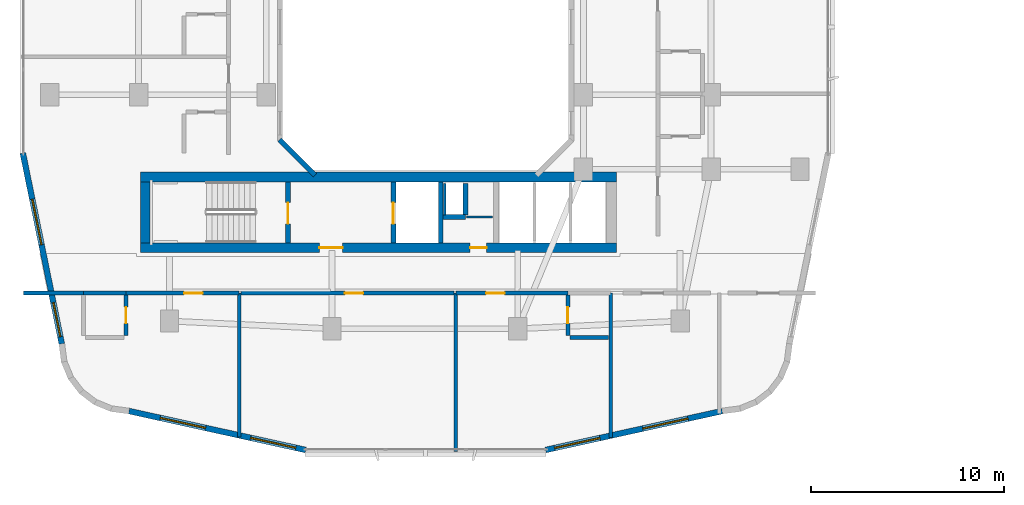
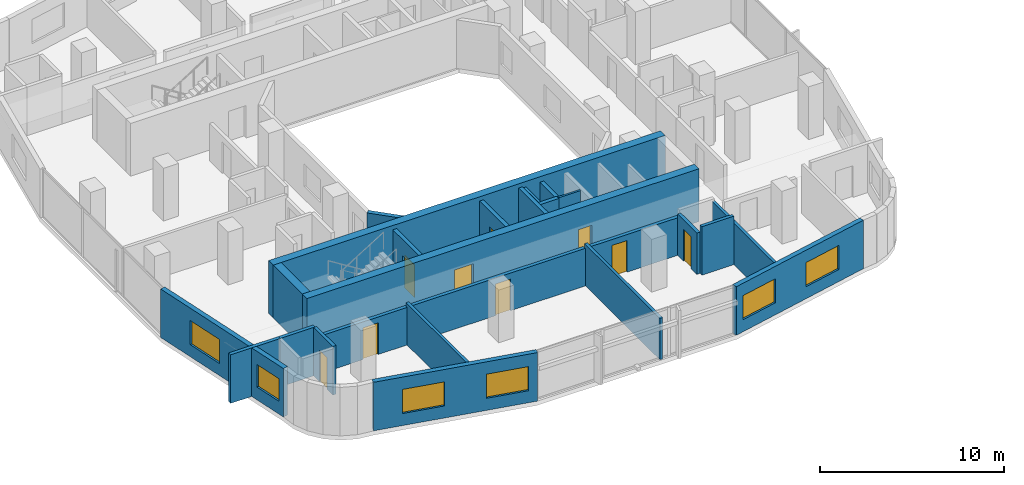
# One storey, part 13 of 27: 25 walls, 9 doors, 6 windows, 15 openings.
"""IFC4 building model written with IfcOpenShell, lengths in metres."""

from ifc_helpers import new_model, si_unit, derived_unit, direction, frame, frame_2d, origin, place, context, subcontext, project, spatial, rectangle, extrude, material, layer, layer_set, type_object, element, fill, save


model = new_model("IFC4")

# Units and contexts
model_context = context("Model", 3, precision=1e-05, world=origin(), true_north=direction((0.0, 1.0)))
body_context = subcontext(model_context, "Body", "Model", "MODEL_VIEW")
ifc_project = project(units=[si_unit("LENGTHUNIT", "METRE"), si_unit("AREAUNIT", "SQUARE_METRE"), si_unit("VOLUMEUNIT", "CUBIC_METRE"), si_unit("PLANEANGLEUNIT", "RADIAN"), si_unit("MASSUNIT", "GRAM", prefix="KILO"), derived_unit("THERMALTRANSMITTANCEUNIT", [(si_unit("POWERUNIT", "WATT"), 1), (si_unit("LENGTHUNIT", "METRE"), -2), (si_unit("THERMODYNAMICTEMPERATUREUNIT", "KELVIN"), -1)])], contexts=[model_context])

# Site, building, storey
site_placement = place(None, origin())
site = spatial("IfcSite", under=ifc_project, at=site_placement, CompositionType="ELEMENT")
building_placement = place(site_placement, origin())
building = spatial("IfcBuilding", under=site, at=building_placement, Name="Kivonza Crest Hotel", CompositionType="ELEMENT")
storey_placement = place(building_placement, frame((0.0, 0.0, 73.0)))
storey = spatial("IfcBuildingStorey", under=building, at=storey_placement, Name="L19", CompositionType="ELEMENT", Elevation=73.0)

# Walls
ifc_material_1 = material(Name="High-density acoustic masonry inter-tenancy wall", Category="masonry")
ifc_layer_1 = layer(ifc_material_1, 0.179931640625)
ifc_layer_set_1 = layer_set([ifc_layer_1], Name="High-density acoustic masonry inter-tenancy wall")
wall_type_1 = type_object("IfcWallType", Name="WL-ACOU-180", PredefinedType="SOLIDWALL", material=ifc_layer_set_1)
wall_1_placement = place(storey_placement, frame((11.39990234375, 3.800048828125, 0.0), z_axis=(0.0, 0.0, 1.0), x_axis=(0.0, 1.0, 0.0)))
element("IfcWall", 1, at=wall_1_placement, inside=storey, type_object=wall_type_1, Name="L19 interior partition WA-L19-T1S-DIV1", PredefinedType="SOLIDWALL", context=body_context, shape_type="SweptSolid", body=[
    extrude(rectangle(XDim=7.449951171875, YDim=0.179931640625, at=frame_2d((3.72509765625, 0.0))), origin(), (0.0, 0.0, 1.0), 2.7451171875),
])
wall_2_placement = place(storey_placement, frame((22.60009765625, 3.06005859375, 0.0), z_axis=(0.0, 0.0, 1.0), x_axis=(0.0, 1.0, 0.0)))
element("IfcWall", 2, at=wall_2_placement, inside=storey, type_object=wall_type_1, Name="L19 interior partition WA-L19-T1S-DIV2", PredefinedType="SOLIDWALL", context=body_context, shape_type="SweptSolid", body=[
    extrude(rectangle(XDim=8.18994140625, YDim=0.179931640625, at=frame_2d((4.094970703125, 0.0))), origin(), (0.0, 0.0, 1.0), 2.7451171875),
])
wall_3_placement = place(storey_placement, frame((30.60009765625, 3.782958984375, 0.0), z_axis=(0.0, 0.0, 1.0), x_axis=(0.0, 1.0, 0.0)))
element("IfcWall", 3, at=wall_3_placement, inside=storey, type_object=wall_type_1, Name="L19 interior partition WA-L19-T1S-DIV3", PredefinedType="SOLIDWALL", context=body_context, shape_type="SweptSolid", body=[
    extrude(rectangle(XDim=7.467041015625, YDim=0.179931640625, at=frame_2d((3.7333984375, 0.0))), origin(), (0.0, 0.0, 1.0), 2.7451171875),
])
ifc_material_2 = material(Name="Autoclaved aerated concrete blockwork", Category="masonry")
ifc_layer_2 = layer(ifc_material_2, 0.219970703125)
ifc_layer_set_2 = layer_set([ifc_layer_2], Name="Autoclaved aerated concrete blockwork")
wall_type_2 = type_object("IfcWallType", Name="WL-ACOU-220", PredefinedType="SOLIDWALL", material=ifc_layer_set_2)
wall_4_placement = place(storey_placement, frame((0.239990234375, 11.25, 0.0), z_axis=(0.0, 0.0, 1.0), x_axis=(1.0, 0.0, 0.0)))
element("IfcWall", 4, at=wall_4_placement, inside=storey, type_object=wall_type_2, Name="L19 interior partition WA-L19-S02-XCORR", PredefinedType="SOLIDWALL", context=body_context, shape_type="SweptSolid", body=[
    extrude(rectangle(XDim=3.110107421875, YDim=0.219970703125, at=frame_2d((1.55517578125, 0.0))), origin(), (0.0, 0.0, 1.0), 3.219970703125),
])
wall_5_placement = place(storey_placement, frame((3.35009765625, 11.25, 0.0), z_axis=(0.0, 0.0, 1.0), x_axis=(1.0, 0.0, 0.0)))
element("IfcWall", 5, at=wall_5_placement, inside=storey, type_object=wall_type_2, Name="L19 interior partition WA-L19-S02-BCORR", PredefinedType="SOLIDWALL", context=body_context, shape_type="SweptSolid", body=[
    extrude(rectangle(XDim=2.199951171875, YDim=0.219970703125, at=frame_2d((1.10009765625, 0.0))), origin(), (0.0, 0.0, 1.0), 3.219970703125),
])

# Wall, opening, door
wall_6_placement = place(storey_placement, frame((5.550048828125, 11.25, 0.0), z_axis=(0.0, 0.0, 1.0), x_axis=(1.0, 0.0, 0.0)))
wall_6 = element("IfcWall", 6, at=wall_6_placement, inside=storey, type_object=wall_type_2, Name="L19 interior partition WA-L19-S02-MCORR", PredefinedType="SOLIDWALL", context=body_context, shape_type="SweptSolid", body=[
    extrude(rectangle(XDim=5.849853515625, YDim=0.219970703125, at=frame_2d((2.9248046875, 0.0))), origin(), (0.0, 0.0, 1.0), 2.4951171875),
])
opening_1_placement = place(wall_6_placement, frame((3.010009765625, 0.0, 0.0)))
opening_1 = element("IfcOpeningElement", 7, at=opening_1_placement, cuts=wall_6, Name="Opening DU-60", PredefinedType="OPENING", context=body_context, shape_type="SweptSolid", body=[
    extrude(rectangle(XDim=0.949951171875, YDim=2.10009765625, at=frame_2d((0.47509765625, 1.050048828125))), frame((0.0, 0.1201171875, 0.0), z_axis=(0.0, -1.0, 0.0), x_axis=(1.0, 0.0, 0.0)), (0.0, 0.0, 1.0), 0.239990234375),
])
ifc_material_3 = material(Name="Hardwood timber oak", Category="wood")
door_type_1 = type_object("IfcDoorType", Name="DR-UNIT-950", OperationType="NOTDEFINED", PredefinedType="DOOR", material=ifc_material_3)
door_1_placement = place(opening_1_placement, frame((0.949951171875, 0.0, 0.0), z_axis=(0.0, 0.0, 1.0), x_axis=(-1.0, 0.0, 0.0)))
door_1 = element("IfcDoor", 8, at=door_1_placement, inside=storey, type_object=door_type_1, Name="L19 S02 guest unit entrance fire door", OperationType="SINGLE_SWING_RIGHT", OverallHeight=2.10009765625, OverallWidth=0.949951171875, PredefinedType="DOOR", context=body_context, shape_type="SweptSolid", body=[
    extrude(rectangle(XDim=0.949951171875, YDim=2.10009765625, at=frame_2d((0.47509765625, 1.050048828125))), frame((0.0, 0.02490234375, 0.0), z_axis=(0.0, -1.0, 0.0), x_axis=(1.0, 0.0, 0.0)), (0.0, 0.0, 1.0), 0.050048828125),
])
fill(opening_1, door_1)

wall_7_placement = place(storey_placement, frame((11.5, 11.25, 0.0), z_axis=(0.0, 0.0, 1.0), x_axis=(1.0, 0.0, 0.0)))
wall_7 = element("IfcWall", 9, at=wall_7_placement, inside=storey, type_object=wall_type_2, Name="L19 interior partition WA-L19-HK-S-N", PredefinedType="SOLIDWALL", context=body_context, shape_type="SweptSolid", body=[
    extrude(rectangle(XDim=11.0, YDim=0.219970703125, at=frame_2d((5.5, 0.0))), origin(), (0.0, 0.0, 1.0), 2.4951171875),
])
opening_2_placement = place(wall_7_placement, frame((5.363037109375, 0.0, 0.0)))
opening_2 = element("IfcOpeningElement", 10, at=opening_2_placement, cuts=wall_7, Name="Opening DF-60S", PredefinedType="OPENING", context=body_context, shape_type="SweptSolid", body=[
    extrude(rectangle(XDim=0.949951171875, YDim=2.10009765625, at=frame_2d((0.47509765625, 1.050048828125))), frame((0.0, 0.1201171875, 0.0), z_axis=(0.0, -1.0, 0.0), x_axis=(1.0, 0.0, 0.0)), (0.0, 0.0, 1.0), 0.239990234375),
])
door_type_2 = type_object("IfcDoorType", Name="DR-FD60-950", OperationType="NOTDEFINED", PredefinedType="DOOR", material=ifc_material_3)
door_2_placement = place(opening_2_placement, frame((0.949951171875, 0.0, 0.0), z_axis=(0.0, 0.0, 1.0), x_axis=(-1.0, 0.0, 0.0)))
door_2 = element("IfcDoor", 11, at=door_2_placement, inside=storey, type_object=door_type_2, Name="L19 Housekeeping and Linen Room door", OperationType="SINGLE_SWING_LEFT", OverallHeight=2.10009765625, OverallWidth=0.949951171875, PredefinedType="DOOR", context=body_context, shape_type="SweptSolid", body=[
    extrude(rectangle(XDim=0.949951171875, YDim=2.10009765625, at=frame_2d((0.47509765625, 1.050048828125))), frame((0.0, 0.02490234375, 0.0), z_axis=(0.0, -1.0, 0.0), x_axis=(1.0, 0.0, 0.0)), (0.0, 0.0, 1.0), 0.050048828125),
])
fill(opening_2, door_2)

wall_8_placement = place(storey_placement, frame((22.60009765625, 11.25, 0.0), z_axis=(0.0, 0.0, 1.0), x_axis=(1.0, 0.0, 0.0)))
wall_8 = element("IfcWall", 12, at=wall_8_placement, inside=storey, type_object=wall_type_2, Name="L19 interior partition WA-L19-S03-MCORR", PredefinedType="SOLIDWALL", context=body_context, shape_type="SweptSolid", body=[
    extrude(rectangle(XDim=5.7998046875, YDim=0.219970703125, at=frame_2d((2.89990234375, 0.0))), origin(), (0.0, 0.0, 1.0), 2.4951171875),
])
opening_3_placement = place(wall_8_placement, frame((1.574951171875, 0.0, 0.0)))
opening_3 = element("IfcOpeningElement", 13, at=opening_3_placement, cuts=wall_8, Name="Opening DU-60", PredefinedType="OPENING", context=body_context, shape_type="SweptSolid", body=[
    extrude(rectangle(XDim=0.949951171875, YDim=2.10009765625, at=frame_2d((0.47509765625, 1.050048828125))), frame((0.0, 0.1201171875, 0.0), z_axis=(0.0, -1.0, 0.0), x_axis=(1.0, 0.0, 0.0)), (0.0, 0.0, 1.0), 0.239990234375),
])
door_3_placement = place(opening_3_placement, frame((0.949951171875, 0.0, 0.0), z_axis=(0.0, 0.0, 1.0), x_axis=(-1.0, 0.0, 0.0)))
door_3 = element("IfcDoor", 14, at=door_3_placement, inside=storey, type_object=door_type_1, Name="L19 S03 guest unit entrance fire door", OperationType="SINGLE_SWING_LEFT", OverallHeight=2.10009765625, OverallWidth=0.949951171875, PredefinedType="DOOR", context=body_context, shape_type="SweptSolid", body=[
    extrude(rectangle(XDim=0.949951171875, YDim=2.10009765625, at=frame_2d((0.47509765625, 1.050048828125))), frame((0.0, 0.02490234375, 0.0), z_axis=(0.0, -1.0, 0.0), x_axis=(1.0, 0.0, 0.0)), (0.0, 0.0, 1.0), 0.050048828125),
])
fill(opening_3, door_3)

# Wall, openings, doors
ifc_material_4 = material(Name="Concrete C60/75", Category="concrete")
ifc_layer_3 = layer(ifc_material_4, 0.5)
ifc_layer_set_3 = layer_set([ifc_layer_3], Name="Concrete C60/75")
wall_type_3 = type_object("IfcWallType", Name="WL-CORE-500", PredefinedType="SHEAR", material=ifc_layer_set_3)
wall_9_placement = place(storey_placement, frame((6.300048828125, 13.590087890625, 0.0), z_axis=(0.0, 0.0, 1.0), x_axis=(1.0, 0.0, 0.0)))
wall_9 = element("IfcWall", 15, at=wall_9_placement, inside=storey, type_object=wall_type_3, Name="Core wall T1-S South L19", PredefinedType="SHEAR", context=body_context, shape_type="SweptSolid", body=[
    extrude(rectangle(XDim=24.599853515625, YDim=0.5, at=frame_2d((12.2998046875, 0.0))), origin(), (0.0, 0.0, 1.0), 3.5),
])
opening_4_placement = place(wall_9_placement, frame((9.25, 0.0, 0.0)))
opening_4 = element("IfcOpeningElement", 16, at=opening_4_placement, cuts=wall_9, Name="Opening DF-60", PredefinedType="OPENING", context=body_context, shape_type="SweptSolid", body=[
    extrude(rectangle(XDim=1.199951171875, YDim=2.14990234375, at=frame_2d((0.60009765625, 1.074951171875))), frame((0.0, 0.260009765625, 0.0), z_axis=(0.0, -1.0, 0.0), x_axis=(1.0, 0.0, 0.0)), (0.0, 0.0, 1.0), 0.52001953125),
])
opening_5_placement = place(wall_9_placement, frame((17.0400390625, 0.0, 0.0)))
opening_5 = element("IfcOpeningElement", 17, at=opening_5_placement, cuts=wall_9, Name="Opening DF-60R", PredefinedType="OPENING", context=body_context, shape_type="SweptSolid", body=[
    extrude(rectangle(XDim=0.85009765625, YDim=2.10009765625, at=frame_2d((0.425048828125, 1.050048828125))), frame((0.0, 0.260009765625, 0.0), z_axis=(0.0, -1.0, 0.0), x_axis=(1.0, 0.0, 0.0)), (0.0, 0.0, 1.0), 0.52001953125),
])
door_type_3 = type_object("IfcDoorType", Name="DR-FD60-1200", OperationType="NOTDEFINED", PredefinedType="DOOR", material=ifc_material_3)
door_4_placement = place(opening_4_placement, frame((1.199951171875, 0.0, 0.0), z_axis=(0.0, 0.0, 1.0), x_axis=(-1.0, 0.0, 0.0)))
door_4 = element("IfcDoor", 18, at=door_4_placement, inside=storey, type_object=door_type_3, Name="L19 T1-S firefighting lobby fire door", OperationType="SINGLE_SWING_LEFT", OverallHeight=2.14990234375, OverallWidth=1.199951171875, PredefinedType="DOOR", context=body_context, shape_type="SweptSolid", body=[
    extrude(rectangle(XDim=1.199951171875, YDim=2.14990234375, at=frame_2d((0.60009765625, 1.074951171875))), frame((0.0, 0.02490234375, 0.0), z_axis=(0.0, -1.0, 0.0), x_axis=(1.0, 0.0, 0.0)), (0.0, 0.0, 1.0), 0.050048828125),
])
fill(opening_4, door_4)
door_type_4 = type_object("IfcDoorType", Name="DR-FD60-850", OperationType="NOTDEFINED", PredefinedType="DOOR", material=ifc_material_3)
door_5_placement = place(opening_5_placement, frame((0.85009765625, 0.0, 0.0), z_axis=(0.0, 0.0, 1.0), x_axis=(-1.0, 0.0, 0.0)))
door_5 = element("IfcDoor", 19, at=door_5_placement, inside=storey, type_object=door_type_4, Name="L19 T1-S core room door", OperationType="SINGLE_SWING_RIGHT", OverallHeight=2.10009765625, OverallWidth=0.85009765625, PredefinedType="DOOR", context=body_context, shape_type="SweptSolid", body=[
    extrude(rectangle(XDim=0.85009765625, YDim=2.10009765625, at=frame_2d((0.425048828125, 1.050048828125))), frame((0.0, 0.02490234375, 0.0), z_axis=(0.0, -1.0, 0.0), x_axis=(1.0, 0.0, 0.0)), (0.0, 0.0, 1.0), 0.050048828125),
])
fill(opening_5, door_5)

# Walls
wall_10_placement = place(storey_placement, frame((6.300048828125, 17.25, 0.0), z_axis=(0.0, 0.0, 1.0), x_axis=(1.0, 0.0, 0.0)))
element("IfcWall", 20, at=wall_10_placement, inside=storey, type_object=wall_type_3, Name="Core wall T1-S North L19", PredefinedType="SHEAR", context=body_context, shape_type="SweptSolid", body=[
    extrude(rectangle(XDim=24.599853515625, YDim=0.5, at=frame_2d((12.2998046875, 0.0))), origin(), (0.0, 0.0, 1.0), 3.5),
])
wall_11_placement = place(storey_placement, frame((6.550048828125, 13.840087890625, 0.0), z_axis=(0.0, 0.0, 1.0), x_axis=(0.0, 1.0, 0.0)))
element("IfcWall", 21, at=wall_11_placement, inside=storey, type_object=wall_type_3, Name="Core wall T1-S West L19", PredefinedType="SHEAR", context=body_context, shape_type="SweptSolid", body=[
    extrude(rectangle(XDim=3.159912109375, YDim=0.5, at=frame_2d((1.580078125, 0.0))), origin(), (0.0, 0.0, 1.0), 3.5),
])
ifc_material_5 = material(Name="Precast concrete C40/50", Category="concrete")
ifc_layer_4 = layer(ifc_material_5, 0.260009765625)
ifc_layer_set_4 = layer_set([ifc_layer_4], Name="Precast concrete C40/50")
wall_type_4 = type_object("IfcWallType", Name="WL-EXT-260", PredefinedType="STANDARD", material=ifc_layer_set_4)
wall_12_placement = place(storey_placement, frame((13.48388671875, 19.172119140625, 0.0), z_axis=(0.0, 0.0, 1.0), x_axis=(0.707106781187, -0.707106781187, 0.0)))
element("IfcWall", 22, at=wall_12_placement, inside=storey, type_object=wall_type_4, Name="L19 T1 light-well exterior wall 8", PredefinedType="STANDARD", context=body_context, shape_type="SweptSolid", body=[
    extrude(rectangle(XDim=2.593994140625, YDim=0.260009765625, at=frame_2d((1.296875, 0.0))), origin(), (0.0, 0.0, 1.0), 3.219970703125),
])

# Wall, openings, windows
ifc_layer_5 = layer(ifc_material_5, 0.300048828125)
ifc_layer_set_5 = layer_set([ifc_layer_5], Name="Precast concrete C40/50")
wall_type_5 = type_object("IfcWallType", Name="WL-EXT-300", PredefinedType="STANDARD", material=ifc_layer_set_5)
wall_13_placement = place(storey_placement, frame((5.7041015625, 5.14794921875, 0.0), z_axis=(0.0, 0.0, 1.0), x_axis=(0.9765437942, -0.215318875183, 0.0)))
wall_13 = element("IfcWall", 23, at=wall_13_placement, inside=storey, type_object=wall_type_5, Name="L19 T1 exterior insulated wall 7", PredefinedType="STANDARD", context=body_context, shape_type="SweptSolid", body=[
    extrude(rectangle(XDim=9.353271484375, YDim=0.300048828125, at=frame_2d((4.6767578125, 0.0))), origin(), (0.0, 0.0, 1.0), 3.219970703125),
])
opening_6_placement = place(wall_13_placement, frame((1.65087890625, 0.0, 0.800048828125)))
opening_6 = element("IfcOpeningElement", 24, at=opening_6_placement, cuts=wall_13, Name="Opening WN-05", PredefinedType="OPENING", context=body_context, shape_type="SweptSolid", body=[
    extrude(rectangle(XDim=2.39990234375, YDim=1.60009765625, at=frame_2d((1.199951171875, 0.800048828125))), frame((0.0, 0.16015625, 0.0), z_axis=(0.0, -1.0, 0.0), x_axis=(1.0, 0.0, 0.0)), (0.0, 0.0, 1.0), 0.320068359375),
])
opening_7_placement = place(wall_13_placement, frame((6.43310546875, 0.0, 0.800048828125)))
opening_7 = element("IfcOpeningElement", 25, at=opening_7_placement, cuts=wall_13, Name="Opening WN-05", PredefinedType="OPENING", context=body_context, shape_type="SweptSolid", body=[
    extrude(rectangle(XDim=2.39990234375, YDim=1.60009765625, at=frame_2d((1.199951171875, 0.800048828125))), frame((0.0, 0.16015625, 0.0), z_axis=(0.0, -1.0, 0.0), x_axis=(1.0, 0.0, 0.0)), (0.0, 0.0, 1.0), 0.320068359375),
])
ifc_material_6 = material(Name="Thermally broken bronze aluminium and low-E double glazing", Category="aluminium")
window_type_1 = type_object("IfcWindowType", Name="WN-240x160", PartitioningType="TRIPLE_PANEL_VERTICAL", PredefinedType="WINDOW", material=ifc_material_6)
window_1_placement = place(opening_6_placement, origin())
window_1 = element("IfcWindow", 26, at=window_1_placement, inside=storey, type_object=window_type_1, Name="L19 T1 facade window 7 bay 1", OverallHeight=1.60009765625, OverallWidth=2.39990234375, PartitioningType="SINGLE_PANEL", PredefinedType="WINDOW", context=body_context, shape_type="SweptSolid", body=[
    extrude(rectangle(XDim=2.39990234375, YDim=1.60009765625, at=frame_2d((1.199951171875, 0.800048828125))), frame((0.0, 0.030029296875, 0.0), z_axis=(0.0, -1.0, 0.0), x_axis=(1.0, 0.0, 0.0)), (0.0, 0.0, 1.0), 0.06005859375),
])
fill(opening_6, window_1)
window_2_placement = place(opening_7_placement, origin())
window_2 = element("IfcWindow", 27, at=window_2_placement, inside=storey, type_object=window_type_1, Name="L19 T1 facade window 7 bay 2", OverallHeight=1.60009765625, OverallWidth=2.39990234375, PartitioningType="SINGLE_PANEL", PredefinedType="WINDOW", context=body_context, shape_type="SweptSolid", body=[
    extrude(rectangle(XDim=2.39990234375, YDim=1.60009765625, at=frame_2d((1.199951171875, 0.800048828125))), frame((0.0, 0.030029296875, 0.0), z_axis=(0.0, -1.0, 0.0), x_axis=(1.0, 0.0, 0.0)), (0.0, 0.0, 1.0), 0.06005859375),
])
fill(opening_7, window_2)

wall_14_placement = place(storey_placement, frame((27.241943359375, 3.134033203125, 0.0), z_axis=(0.0, 0.0, 1.0), x_axis=(0.97654500432, 0.215313386808, 0.0)))
wall_14 = element("IfcWall", 28, at=wall_14_placement, inside=storey, type_object=wall_type_5, Name="L19 T1 exterior insulated wall 9", PredefinedType="STANDARD", context=body_context, shape_type="SweptSolid", body=[
    extrude(rectangle(XDim=9.353515625, YDim=0.300048828125, at=frame_2d((4.6767578125, 0.0))), origin(), (0.0, 0.0, 1.0), 3.219970703125),
])
opening_8_placement = place(wall_14_placement, frame((0.47900390625, 0.0, 0.800048828125)))
opening_8 = element("IfcOpeningElement", 29, at=opening_8_placement, cuts=wall_14, Name="Opening WN-05", PredefinedType="OPENING", context=body_context, shape_type="SweptSolid", body=[
    extrude(rectangle(XDim=2.39990234375, YDim=1.60009765625, at=frame_2d((1.199951171875, 0.800048828125))), frame((0.0, 0.16015625, 0.0), z_axis=(0.0, -1.0, 0.0), x_axis=(1.0, 0.0, 0.0)), (0.0, 0.0, 1.0), 0.320068359375),
])
opening_9_placement = place(wall_14_placement, frame((5.14208984375, 0.0, 0.800048828125)))
opening_9 = element("IfcOpeningElement", 30, at=opening_9_placement, cuts=wall_14, Name="Opening WN-05", PredefinedType="OPENING", context=body_context, shape_type="SweptSolid", body=[
    extrude(rectangle(XDim=2.39990234375, YDim=1.60009765625, at=frame_2d((1.199951171875, 0.800048828125))), frame((0.0, 0.16015625, 0.0), z_axis=(0.0, -1.0, 0.0), x_axis=(1.0, 0.0, 0.0)), (0.0, 0.0, 1.0), 0.320068359375),
])
window_3_placement = place(opening_8_placement, origin())
window_3 = element("IfcWindow", 31, at=window_3_placement, inside=storey, type_object=window_type_1, Name="L19 T1 facade window 9 bay 1", OverallHeight=1.60009765625, OverallWidth=2.39990234375, PartitioningType="SINGLE_PANEL", PredefinedType="WINDOW", context=body_context, shape_type="SweptSolid", body=[
    extrude(rectangle(XDim=2.39990234375, YDim=1.60009765625, at=frame_2d((1.199951171875, 0.800048828125))), frame((0.0, 0.030029296875, 0.0), z_axis=(0.0, -1.0, 0.0), x_axis=(1.0, 0.0, 0.0)), (0.0, 0.0, 1.0), 0.06005859375),
])
fill(opening_8, window_3)
window_4_placement = place(opening_9_placement, origin())
window_4 = element("IfcWindow", 32, at=window_4_placement, inside=storey, type_object=window_type_1, Name="L19 T1 facade window 9 bay 2", OverallHeight=1.60009765625, OverallWidth=2.39990234375, PartitioningType="SINGLE_PANEL", PredefinedType="WINDOW", context=body_context, shape_type="SweptSolid", body=[
    extrude(rectangle(XDim=2.39990234375, YDim=1.60009765625, at=frame_2d((1.199951171875, 0.800048828125))), frame((0.0, 0.030029296875, 0.0), z_axis=(0.0, -1.0, 0.0), x_axis=(1.0, 0.0, 0.0)), (0.0, 0.0, 1.0), 0.06005859375),
])
fill(opening_9, window_4)

wall_15_placement = place(storey_placement, frame((0.216064453125, 18.48388671875, 0.0), z_axis=(0.0, 0.0, 1.0), x_axis=(0.199990901713, -0.979797754249, 0.0)))
wall_15 = element("IfcWall", 33, at=wall_15_placement, inside=storey, type_object=wall_type_5, Name="L19 T1 exterior insulated wall 36", PredefinedType="STANDARD", context=body_context, shape_type="SweptSolid", body=[
    extrude(rectangle(XDim=10.065185546875, YDim=0.300048828125, at=frame_2d((5.03271484375, 0.0))), origin(), (0.0, 0.0, 1.0), 3.219970703125),
])
opening_10_placement = place(wall_15_placement, frame((2.428955078125, 0.0, 0.800048828125)))
opening_10 = element("IfcOpeningElement", 34, at=opening_10_placement, cuts=wall_15, Name="Opening WN-05", PredefinedType="OPENING", context=body_context, shape_type="SweptSolid", body=[
    extrude(rectangle(XDim=2.39990234375, YDim=1.60009765625, at=frame_2d((1.199951171875, 0.800048828125))), frame((0.0, 0.16015625, 0.0), z_axis=(0.0, -1.0, 0.0), x_axis=(1.0, 0.0, 0.0)), (0.0, 0.0, 1.0), 0.320068359375),
])
opening_11_placement = place(wall_15_placement, frame((7.886962890625, 0.0, 0.85009765625)))
opening_11 = element("IfcOpeningElement", 35, at=opening_11_placement, cuts=wall_15, Name="Opening WN-03", PredefinedType="OPENING", context=body_context, shape_type="SweptSolid", body=[
    extrude(rectangle(XDim=1.800048828125, YDim=1.5, at=frame_2d((0.89990234375, 0.75))), frame((0.0, 0.16015625, 0.0), z_axis=(0.0, -1.0, 0.0), x_axis=(1.0, 0.0, 0.0)), (0.0, 0.0, 1.0), 0.320068359375),
])
window_type_2 = type_object("IfcWindowType", Name="WN-180x150", PartitioningType="DOUBLE_PANEL_VERTICAL", PredefinedType="WINDOW", material=ifc_material_6)
window_5_placement = place(opening_11_placement, origin())
window_5 = element("IfcWindow", 36, at=window_5_placement, inside=storey, type_object=window_type_2, Name="L19 T1 facade window 36 bay 2", OverallHeight=1.5, OverallWidth=1.800048828125, PartitioningType="SINGLE_PANEL", PredefinedType="WINDOW", context=body_context, shape_type="SweptSolid", body=[
    extrude(rectangle(XDim=1.800048828125, YDim=1.5, at=frame_2d((0.89990234375, 0.75))), frame((0.0, 0.030029296875, 0.0), z_axis=(0.0, -1.0, 0.0), x_axis=(1.0, 0.0, 0.0)), (0.0, 0.0, 1.0), 0.06005859375),
])
fill(opening_11, window_5)
window_6_placement = place(opening_10_placement, origin())
window_6 = element("IfcWindow", 37, at=window_6_placement, inside=storey, type_object=window_type_1, Name="L19 T1 facade window 36 bay 1", OverallHeight=1.60009765625, OverallWidth=2.39990234375, PartitioningType="SINGLE_PANEL", PredefinedType="WINDOW", context=body_context, shape_type="SweptSolid", body=[
    extrude(rectangle(XDim=2.39990234375, YDim=1.60009765625, at=frame_2d((1.199951171875, 0.800048828125))), frame((0.0, 0.030029296875, 0.0), z_axis=(0.0, -1.0, 0.0), x_axis=(1.0, 0.0, 0.0)), (0.0, 0.0, 1.0), 0.06005859375),
])
fill(opening_10, window_6)

# Walls
ifc_material_7 = material(Name="Concrete blockwork fire-compartment wall", Category="masonry")
ifc_layer_6 = layer(ifc_material_7, 0.25)
ifc_layer_set_6 = layer_set([ifc_layer_6], Name="Concrete blockwork fire-compartment wall")
wall_type_6 = type_object("IfcWallType", Name="WL-FIRE-250", PredefinedType="SOLIDWALL", material=ifc_layer_set_6)
wall_16_placement = place(storey_placement, frame((23.10009765625, 15.280029296875, 0.0), z_axis=(0.0, 0.0, 1.0), x_axis=(0.0, 1.0, 0.0)))
element("IfcWall", 38, at=wall_16_placement, inside=storey, type_object=wall_type_6, Name="L19 interior partition WA-L19-T1-S-MEPR-E", PredefinedType="SOLIDWALL", context=body_context, shape_type="SweptSolid", body=[
    extrude(rectangle(XDim=1.619873046875, YDim=0.25, at=frame_2d((0.81005859375, 0.0))), origin(), (0.0, 0.0, 1.0), 3.219970703125),
])
wall_17_placement = place(storey_placement, frame((21.949951171875, 15.179931640625, 0.0), z_axis=(0.0, 0.0, 1.0), x_axis=(1.0, 0.0, 0.0)))
element("IfcWall", 39, at=wall_17_placement, inside=storey, type_object=wall_type_6, Name="L19 interior partition WA-L19-T1-S-MEPR-H", PredefinedType="SOLIDWALL", context=body_context, shape_type="SweptSolid", body=[
    extrude(rectangle(XDim=1.150146484375, YDim=0.25, at=frame_2d((0.5751953125, 0.0))), origin(), (0.0, 0.0, 1.0), 3.219970703125),
])
ifc_material_8 = material(Name="Metal-stud gypsum board partition", Category="gypsum")
ifc_layer_7 = layer(ifc_material_8, 0.125)
ifc_layer_set_7 = layer_set([ifc_layer_7], Name="Metal-stud gypsum board partition")
wall_type_7 = type_object("IfcWallType", Name="WL-PART-125", PredefinedType="PARTITIONING", material=ifc_layer_set_7)
wall_18_placement = place(storey_placement, frame((23.14990234375, 15.179931640625, 0.0), z_axis=(0.0, 0.0, 1.0), x_axis=(1.0, 0.0, 0.0)))
element("IfcWall", 40, at=wall_18_placement, inside=storey, type_object=wall_type_7, Name="L19 interior partition WP-L19-T1-S-SV2H", PredefinedType="PARTITIONING", context=body_context, shape_type="SweptSolid", body=[
    extrude(rectangle(XDim=1.35009765625, YDim=0.125, at=frame_2d((0.675048828125, 0.0))), origin(), (0.0, 0.0, 1.0), 3.219970703125),
])
ifc_material_9 = material(Name="Twin-stud acoustic gypsum board partition", Category="gypsum")
ifc_layer_8 = layer(ifc_material_9, 0.14990234375)
ifc_layer_set_8 = layer_set([ifc_layer_8], Name="Twin-stud acoustic gypsum board partition")
wall_type_8 = type_object("IfcWallType", Name="WL-PART-150", PredefinedType="PARTITIONING", material=ifc_layer_set_8)
wall_19_placement = place(storey_placement, frame((22.030029296875, 15.280029296875, 0.0), z_axis=(0.0, 0.0, 1.0), x_axis=(0.0, 1.0, 0.0)))
element("IfcWall", 41, at=wall_19_placement, inside=storey, type_object=wall_type_8, Name="L19 interior partition WA-L19-T1-S-MEPR-W", PredefinedType="PARTITIONING", context=body_context, shape_type="SweptSolid", body=[
    extrude(rectangle(XDim=1.619873046875, YDim=0.14990234375, at=frame_2d((0.81005859375, 0.0))), origin(), (0.0, 0.0, 1.0), 3.219970703125),
])

# Wall, opening, door
ifc_material_10 = material(Name="Moisture-resistant plumbing chase partition wall", Category="gypsum")
ifc_layer_9 = layer(ifc_material_10, 0.199951171875)
ifc_layer_set_9 = layer_set([ifc_layer_9], Name="Moisture-resistant plumbing chase partition wall")
wall_type_9 = type_object("IfcWallType", Name="WL-PLUMB-200", PredefinedType="PLUMBINGWALL", material=ifc_layer_set_9)
wall_20_placement = place(storey_placement, frame((5.550048828125, 9.050048828125, 0.0), z_axis=(0.0, 0.0, 1.0), x_axis=(0.0, 1.0, 0.0)))
wall_20 = element("IfcWall", 42, at=wall_20_placement, inside=storey, type_object=wall_type_9, Name="L19 interior partition WW-L19-S02-BV", PredefinedType="PLUMBINGWALL", context=body_context, shape_type="SweptSolid", body=[
    extrude(rectangle(XDim=2.099853515625, YDim=0.199951171875, at=frame_2d((1.0498046875, 0.0))), origin(), (0.0, 0.0, 1.0), 3.219970703125),
])
opening_12_placement = place(wall_20_placement, frame((0.625, 0.0, 0.0)))
opening_12 = element("IfcOpeningElement", 43, at=opening_12_placement, cuts=wall_20, Name="Opening DI-85", PredefinedType="OPENING", context=body_context, shape_type="SweptSolid", body=[
    extrude(rectangle(XDim=0.85009765625, YDim=2.10009765625, at=frame_2d((0.425048828125, 1.050048828125))), frame((0.0, 0.10986328125, 0.0), z_axis=(0.0, -1.0, 0.0), x_axis=(1.0, 0.0, 0.0)), (0.0, 0.0, 1.0), 0.219970703125),
])
door_type_5 = type_object("IfcDoorType", Name="DR-INT-850", OperationType="NOTDEFINED", PredefinedType="DOOR", material=ifc_material_3)
door_6_placement = place(opening_12_placement, frame((0.85009765625, 0.0, 0.0), z_axis=(0.0, 0.0, 1.0), x_axis=(-1.0, 0.0, 0.0)))
door_6 = element("IfcDoor", 44, at=door_6_placement, inside=storey, type_object=door_type_5, Name="L19 S02 en-suite bathroom door", OperationType="SINGLE_SWING_LEFT", OverallHeight=2.10009765625, OverallWidth=0.85009765625, PredefinedType="DOOR", context=body_context, shape_type="SweptSolid", body=[
    extrude(rectangle(XDim=0.85009765625, YDim=2.10009765625, at=frame_2d((0.425048828125, 1.050048828125))), frame((0.0, 0.02490234375, 0.0), z_axis=(0.0, -1.0, 0.0), x_axis=(1.0, 0.0, 0.0)), (0.0, 0.0, 1.0), 0.050048828125),
])
fill(opening_12, door_6)

wall_21_placement = place(storey_placement, frame((28.39990234375, 9.050048828125, 0.0), z_axis=(0.0, 0.0, 1.0), x_axis=(0.0, 1.0, 0.0)))
wall_21 = element("IfcWall", 45, at=wall_21_placement, inside=storey, type_object=wall_type_9, Name="L19 interior partition WW-L19-S03-BV", PredefinedType="PLUMBINGWALL", context=body_context, shape_type="SweptSolid", body=[
    extrude(rectangle(XDim=2.099853515625, YDim=0.199951171875, at=frame_2d((1.0498046875, 0.0))), origin(), (0.0, 0.0, 1.0), 2.7451171875),
])
opening_13_placement = place(wall_21_placement, frame((0.625, 0.0, 0.0)))
opening_13 = element("IfcOpeningElement", 46, at=opening_13_placement, cuts=wall_21, Name="Opening DI-85", PredefinedType="OPENING", context=body_context, shape_type="SweptSolid", body=[
    extrude(rectangle(XDim=0.85009765625, YDim=2.10009765625, at=frame_2d((0.425048828125, 1.050048828125))), frame((0.0, 0.10986328125, 0.0), z_axis=(0.0, -1.0, 0.0), x_axis=(1.0, 0.0, 0.0)), (0.0, 0.0, 1.0), 0.219970703125),
])
door_7_placement = place(opening_13_placement, origin())
door_7 = element("IfcDoor", 47, at=door_7_placement, inside=storey, type_object=door_type_5, Name="L19 S03 en-suite bathroom door", OperationType="SINGLE_SWING_RIGHT", OverallHeight=2.10009765625, OverallWidth=0.85009765625, PredefinedType="DOOR", context=body_context, shape_type="SweptSolid", body=[
    extrude(rectangle(XDim=0.85009765625, YDim=2.10009765625, at=frame_2d((0.425048828125, 1.050048828125))), frame((0.0, 0.02490234375, 0.0), z_axis=(0.0, -1.0, 0.0), x_axis=(1.0, 0.0, 0.0)), (0.0, 0.0, 1.0), 0.050048828125),
])
fill(opening_13, door_7)

# Wall
wall_22_placement = place(storey_placement, frame((28.5, 8.949951171875, 0.0), z_axis=(0.0, 0.0, 1.0), x_axis=(1.0, 0.0, 0.0)))
element("IfcWall", 48, at=wall_22_placement, inside=storey, type_object=wall_type_9, Name="L19 interior partition WW-L19-S03-BH", PredefinedType="PLUMBINGWALL", context=body_context, shape_type="SweptSolid", body=[
    extrude(rectangle(XDim=2.0, YDim=0.199951171875, at=frame_2d((1.0, 0.0))), origin(), (0.0, 0.0, 1.0), 3.219970703125),
])

# Wall, opening, door
ifc_material_11 = material(Name="Concrete C50/60", Category="concrete")
ifc_layer_10 = layer(ifc_material_11, 0.25)
ifc_layer_set_10 = layer_set([ifc_layer_10], Name="Concrete C50/60")
wall_type_10 = type_object("IfcWallType", Name="WL-SHAFT-250", PredefinedType="STANDARD", material=ifc_layer_set_10)
wall_23_placement = place(storey_placement, frame((13.925048828125, 13.840087890625, 0.0), z_axis=(0.0, 0.0, 1.0), x_axis=(0.0, 1.0, 0.0)))
wall_23 = element("IfcWall", 49, at=wall_23_placement, inside=storey, type_object=wall_type_10, Name="Core shaft wall T1-S STAIR L19", PredefinedType="STANDARD", context=body_context, shape_type="SweptSolid", body=[
    extrude(rectangle(XDim=3.159912109375, YDim=0.25, at=frame_2d((1.580078125, 0.0))), origin(), (0.0, 0.0, 1.0), 3.219970703125),
])
opening_14_placement = place(wall_23_placement, frame((0.97998046875, 0.0, 0.0)))
opening_14 = element("IfcOpeningElement", 50, at=opening_14_placement, cuts=wall_23, Name="Opening DF-120", PredefinedType="OPENING", context=body_context, shape_type="SweptSolid", body=[
    extrude(rectangle(XDim=1.10009765625, YDim=2.14990234375, at=frame_2d((0.550048828125, 1.074951171875))), frame((0.0, 0.135009765625, 0.0), z_axis=(0.0, -1.0, 0.0), x_axis=(1.0, 0.0, 0.0)), (0.0, 0.0, 1.0), 0.27001953125),
])
ifc_material_12 = material(Name="Galvanised steel", Category="steel")
door_type_6 = type_object("IfcDoorType", Name="DR-FD120-1100", OperationType="NOTDEFINED", PredefinedType="DOOR", material=ifc_material_12)
door_8_placement = place(opening_14_placement, frame((1.10009765625, 0.0, 0.0), z_axis=(0.0, 0.0, 1.0), x_axis=(-1.0, 0.0, 0.0)))
door_8 = element("IfcDoor", 51, at=door_8_placement, inside=storey, type_object=door_type_6, Name="L19 T1-S stair fire door", OperationType="SINGLE_SWING_RIGHT", OverallHeight=2.14990234375, OverallWidth=1.10009765625, PredefinedType="DOOR", context=body_context, shape_type="SweptSolid", body=[
    extrude(rectangle(XDim=1.10009765625, YDim=2.14990234375, at=frame_2d((0.550048828125, 1.074951171875))), frame((0.0, 0.02490234375, 0.0), z_axis=(0.0, -1.0, 0.0), x_axis=(1.0, 0.0, 0.0)), (0.0, 0.0, 1.0), 0.050048828125),
])
fill(opening_14, door_8)

wall_24_placement = place(storey_placement, frame((19.375, 13.840087890625, 0.0), z_axis=(0.0, 0.0, 1.0), x_axis=(0.0, 1.0, 0.0)))
wall_24 = element("IfcWall", 52, at=wall_24_placement, inside=storey, type_object=wall_type_10, Name="Core shaft wall T1-S FFL-W L19", PredefinedType="STANDARD", context=body_context, shape_type="SweptSolid", body=[
    extrude(rectangle(XDim=3.159912109375, YDim=0.25, at=frame_2d((1.580078125, 0.0))), origin(), (0.0, 0.0, 1.0), 3.219970703125),
])
opening_15_placement = place(wall_24_placement, frame((0.97998046875, 0.0, 0.0)))
opening_15 = element("IfcOpeningElement", 53, at=opening_15_placement, cuts=wall_24, Name="Opening LD-120", PredefinedType="OPENING", context=body_context, shape_type="SweptSolid", body=[
    extrude(rectangle(XDim=1.10009765625, YDim=2.14990234375, at=frame_2d((0.550048828125, 1.074951171875))), frame((0.0, 0.135009765625, 0.0), z_axis=(0.0, -1.0, 0.0), x_axis=(1.0, 0.0, 0.0)), (0.0, 0.0, 1.0), 0.27001953125),
])
ifc_material_13 = material(Name="Stainless steel", Category="steel")
door_type_7 = type_object("IfcDoorType", Name="DR-LD120-1100", OperationType="NOTDEFINED", PredefinedType="DOOR", material=ifc_material_13)
door_9_placement = place(opening_15_placement, origin())
door_9 = element("IfcDoor", 54, at=door_9_placement, inside=storey, type_object=door_type_7, Name="L19 FFL-T1-S firefighting lift sliding landing door", OperationType="DOUBLE_DOOR_SLIDING", OverallHeight=2.14990234375, OverallWidth=1.10009765625, PredefinedType="DOOR", context=body_context, shape_type="SweptSolid", body=[
    extrude(rectangle(XDim=1.10009765625, YDim=2.14990234375, at=frame_2d((0.550048828125, 1.074951171875))), frame((0.0, 0.02490234375, 0.0), z_axis=(0.0, -1.0, 0.0), x_axis=(1.0, 0.0, 0.0)), (0.0, 0.0, 1.0), 0.050048828125),
])
fill(opening_15, door_9)

# Wall
wall_25_placement = place(storey_placement, frame((21.824951171875, 13.840087890625, 0.0), z_axis=(0.0, 0.0, 1.0), x_axis=(0.0, 1.0, 0.0)))
element("IfcWall", 55, at=wall_25_placement, inside=storey, type_object=wall_type_10, Name="Core shaft wall T1-S FFL-E L19", PredefinedType="STANDARD", context=body_context, shape_type="SweptSolid", body=[
    extrude(rectangle(XDim=3.159912109375, YDim=0.25, at=frame_2d((1.580078125, 0.0))), origin(), (0.0, 0.0, 1.0), 3.219970703125),
])

save(model, "model.ifc")
